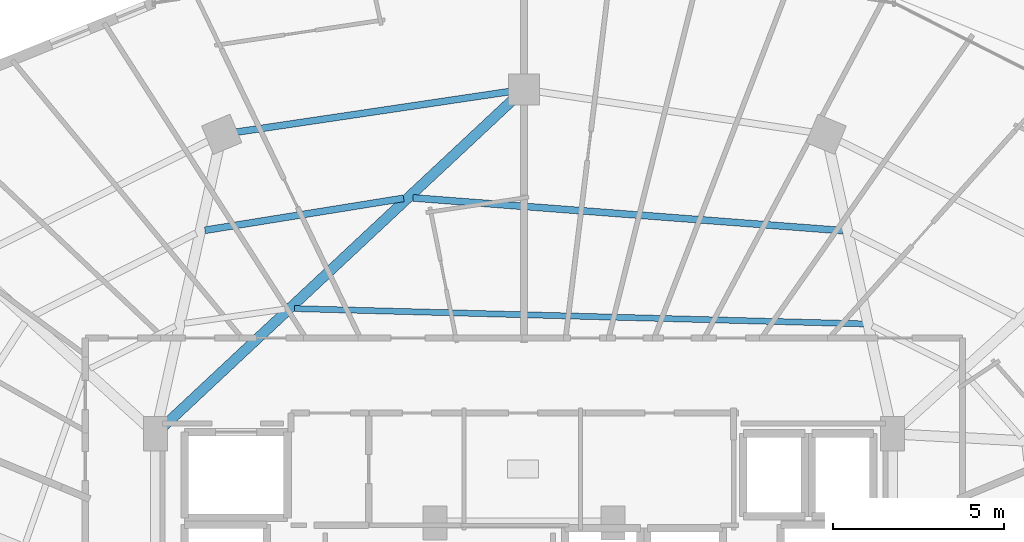
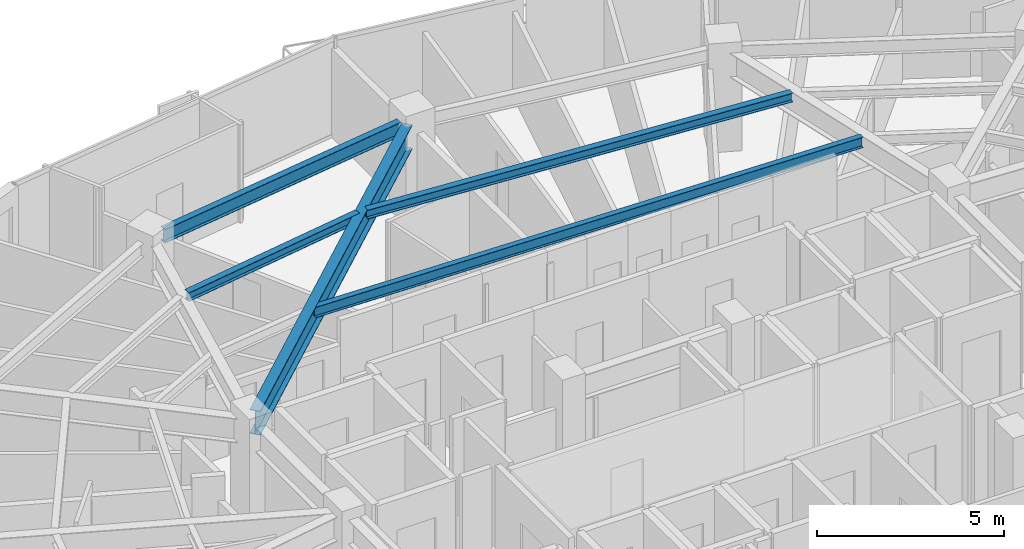
# One storey, part 18 of 33: 5 beams.
"""IFC4 building model written with IfcOpenShell, lengths in metres."""

from ifc_helpers import new_model, si_unit, direction, frame, origin, origin_2d, place, context, subcontext, project, spatial, i_section, extrude, material, material_profile, profile_set, type_object, element, save


model = new_model("IFC4")

# Units and contexts
model_context = context("Model", 3, precision=1e-05, world=origin(), true_north=direction((0.0, 1.0)))
body_context = subcontext(model_context, "Body", "Model", "MODEL_VIEW")
ifc_project = project(units=[si_unit("LENGTHUNIT", "METRE"), si_unit("AREAUNIT", "SQUARE_METRE"), si_unit("VOLUMEUNIT", "CUBIC_METRE"), si_unit("PLANEANGLEUNIT", "RADIAN"), si_unit("MASSUNIT", "GRAM", prefix="KILO")], contexts=[model_context])

# Site, building, storey
site_placement = place(None, origin())
site = spatial("IfcSite", under=ifc_project, at=site_placement, CompositionType="ELEMENT")
building_placement = place(site_placement, origin())
building = spatial("IfcBuilding", under=site, at=building_placement, Name="Vorneva Point Tower", CompositionType="ELEMENT")
storey_placement = place(building_placement, frame((0.0, 0.0, 221.39990234375)))
storey = spatial("IfcBuildingStorey", under=building, at=storey_placement, Name="L60", CompositionType="ELEMENT", Elevation=221.39990234375)

# Beams
ifc_material = material(Name="Steel S355", Category="steel")
ifc_material_profile_1 = material_profile(ifc_material, i_section(OverallWidth=0.300048828125, OverallDepth=0.7880859375, WebThickness=0.014404296875, FlangeThickness=0.02197265625, at=origin_2d()), Name="80Sh1")
ifc_profile_set_1 = profile_set([ifc_material_profile_1], Name="Steel S355")
beam_type_1 = type_object("IfcBeamType", Name="BM-GRD-80Sh1", PredefinedType="USERDEFINED", material=ifc_profile_set_1)
beam_1_placement = place(storey_placement, frame((37.679931640625, 42.90087890625, 2.80615234375), z_axis=(-0.730484767146, -0.682928989696, 0.0), x_axis=(0.682928989696, -0.730484767146, 0.0)))
element("IfcBeam", 1, at=beam_1_placement, inside=storey, type_object=beam_type_1, Name="L60 Radial Primary Girder 05", ObjectType="GIRDER", PredefinedType="USERDEFINED", context=body_context, shape_type="SweptSolid", body=[
    extrude(i_section(OverallWidth=0.300048828125, OverallDepth=0.7880859375, WebThickness=0.014404296875, FlangeThickness=0.02197265625, at=origin_2d()), origin(), (0.0, 0.0, 1.0), 13.938232421875),
])
ifc_material_profile_2 = material_profile(ifc_material, i_section(OverallWidth=0.199951171875, OverallDepth=0.291015625, WebThickness=0.008056640625, FlangeThickness=0.010986328125, at=origin_2d()), Name="30Sh1")
ifc_profile_set_2 = profile_set([ifc_material_profile_2], Name="Steel S355")
beam_type_2 = type_object("IfcBeamType", Name="BM-SEC-30Sh1", PredefinedType="BEAM", material=ifc_profile_set_2)
beam_2_placement = place(storey_placement, frame((47.30615234375, 39.0791015625, 3.0546875), z_axis=(-0.99710914337, 0.075982604646, 0.0), x_axis=(-0.075982604646, -0.99710914337, 0.0)))
element("IfcBeam", 2, at=beam_2_placement, inside=storey, type_object=beam_type_2, Name="L60 Secondary Floor Beam 1.04", PredefinedType="BEAM", context=body_context, shape_type="SweptSolid", body=[
    extrude(i_section(OverallWidth=0.199951171875, OverallDepth=0.291015625, WebThickness=0.008056640625, FlangeThickness=0.010986328125, at=origin_2d()), origin(), (0.0, 0.0, 1.0), 12.579345703125),
])
beam_3_placement = place(storey_placement, frame((34.4892578125, 40.0234375, 3.0546875), z_axis=(-0.987297778526, -0.15888076195, 0.0), x_axis=(0.15888076195, -0.987297778526, 0.0)))
element("IfcBeam", 3, at=beam_3_placement, inside=storey, type_object=beam_type_2, Name="L60 Secondary Floor Beam 1.05", PredefinedType="BEAM", context=body_context, shape_type="SweptSolid", body=[
    extrude(i_section(OverallWidth=0.199951171875, OverallDepth=0.291015625, WebThickness=0.008056640625, FlangeThickness=0.010986328125, at=origin_2d()), origin(), (0.0, 0.0, 1.0), 5.871337890625),
])
ifc_material_profile_3 = material_profile(ifc_material, i_section(OverallWidth=0.174072265625, OverallDepth=0.345947265625, WebThickness=0.006103515625, FlangeThickness=0.009033203125, at=origin_2d()), Name="35B1")
ifc_profile_set_3 = profile_set([ifc_material_profile_3], Name="Steel S355")
beam_type_3 = type_object("IfcBeamType", Name="BM-SEC-35B1", PredefinedType="BEAM", material=ifc_profile_set_3)
beam_4_placement = place(storey_placement, frame((47.904541015625, 36.35888671875, 3.027099609375), z_axis=(-0.999638918345, 0.026870670432, 0.0), x_axis=(-0.026870670432, -0.999638918345, 0.0)))
element("IfcBeam", 4, at=beam_4_placement, inside=storey, type_object=beam_type_3, Name="L60 Secondary Floor Beam 2.04", PredefinedType="BEAM", context=body_context, shape_type="SweptSolid", body=[
    extrude(i_section(OverallWidth=0.174072265625, OverallDepth=0.345947265625, WebThickness=0.006103515625, FlangeThickness=0.009033203125, at=origin_2d()), origin(), (0.0, 0.0, 1.0), 16.60888671875),
])
ifc_material_profile_4 = material_profile(ifc_material, i_section(OverallWidth=0.198974609375, OverallDepth=0.446044921875, WebThickness=0.008056640625, FlangeThickness=0.011962890625, at=origin_2d()), Name="45B1")
ifc_profile_set_4 = profile_set([ifc_material_profile_4], Name="Steel S355")
beam_type_4 = type_object("IfcBeamType", Name="BM-SPN-45B1", PredefinedType="SPANDREL", material=ifc_profile_set_4)
beam_5_placement = place(storey_placement, frame((37.569580078125, 43.135986328125, 2.97705078125), z_axis=(-0.989165476332, -0.146804837907, 0.0), x_axis=(0.146804837907, -0.989165476332, 0.0)))
element("IfcBeam", 5, at=beam_5_placement, inside=storey, type_object=beam_type_4, Name="L60 Perimeter Spandrel Ring Beam 05", PredefinedType="SPANDREL", context=body_context, shape_type="SweptSolid", body=[
    extrude(i_section(OverallWidth=0.198974609375, OverallDepth=0.446044921875, WebThickness=0.008056640625, FlangeThickness=0.011962890625, at=origin_2d()), origin(), (0.0, 0.0, 1.0), 8.04736328125),
])

save(model, "model.ifc")
